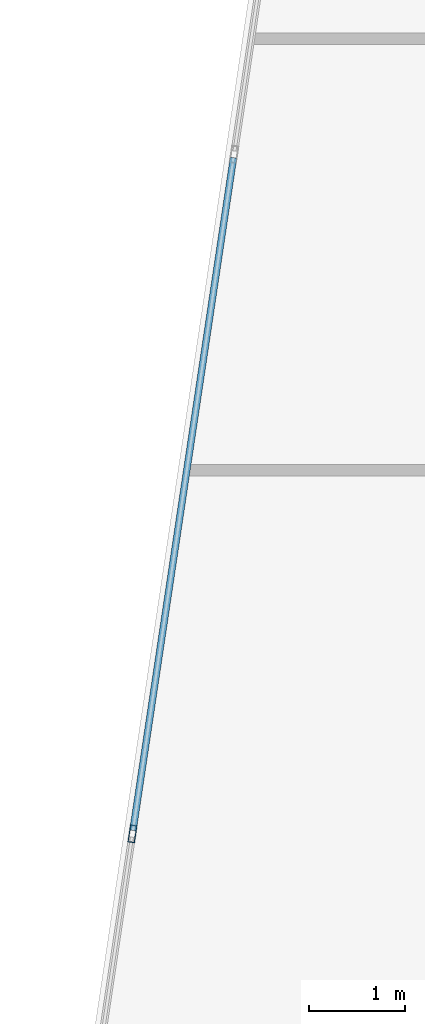
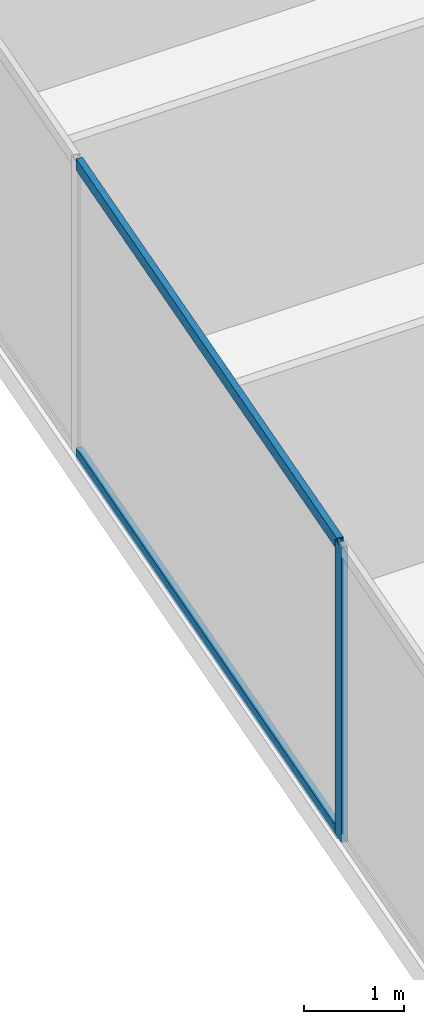
# One storey, part 6 of 29: 3 members, 1 element without a shape of its own.
"""IFC4 building model written with IfcOpenShell, lengths in metres."""

from ifc_helpers import new_model, si_unit, direction, frame, origin, origin_2d, place, context, subcontext, project, spatial, hollow_rectangle, extrude, source, transform, mapped, material, material_profile, profile_set, type_object, type_shapes, element, aggregate, save


model = new_model("IFC4")

# Units and contexts
model_context = context("Model", 3, precision=1e-05, world=origin(), true_north=direction((0.0, 1.0)))
body_context = subcontext(model_context, "Body", "Model", "MODEL_VIEW")
ifc_project = project(units=[si_unit("LENGTHUNIT", "METRE"), si_unit("AREAUNIT", "SQUARE_METRE"), si_unit("VOLUMEUNIT", "CUBIC_METRE"), si_unit("PLANEANGLEUNIT", "RADIAN"), si_unit("MASSUNIT", "GRAM", prefix="KILO")], contexts=[model_context])

# Site, building, storey
site_placement = place(None, origin())
site = spatial("IfcSite", under=ifc_project, at=site_placement, CompositionType="ELEMENT")
building_placement = place(site_placement, origin())
building = spatial("IfcBuilding", under=site, at=building_placement, Name="Krantzveldt Concourse Tower", CompositionType="ELEMENT")
storey_placement = place(building_placement, frame((0.0, 0.0, 76.35009765625)))
storey = spatial("IfcBuildingStorey", under=building, at=storey_placement, Name="L18", CompositionType="ELEMENT", Elevation=76.35009765625)

# Curtain wall, members
ifc_material = material(Name="Anodised aluminium 6063-T6", Category="aluminium")
curtain_wall_type = type_object("IfcCurtainWallType", Name="CW2", PredefinedType="USERDEFINED", material=ifc_material)
curtain_wall_placement = place(storey_placement, origin())
curtain_wall = element("IfcCurtainWall", 1, at=curtain_wall_placement, inside=storey, type_object=curtain_wall_type, Name="CW-L18-F01", ObjectType="UNITISED CURTAIN WALL", PredefinedType="USERDEFINED")
ifc_material_profile_1 = material_profile(ifc_material, hollow_rectangle(XDim=0.070068359375, YDim=0.139892578125, WallThickness=0.0048828125, at=origin_2d()), Name="Anodised aluminium 6063-T6", Category="aluminium")
ifc_profile_set_1 = profile_set([ifc_material_profile_1], Name="Anodised aluminium 6063-T6 - ALU-TRAN 140x70x5")
member_type_1 = type_object("IfcMemberType", Name="CW-TRN-150", PredefinedType="USERDEFINED", material=ifc_profile_set_1)
shared_shape_1 = source(origin(), body_context, "Body", "SweptSolid", [
    extrude(hollow_rectangle(XDim=0.070068359375, YDim=0.139892578125, WallThickness=0.0048828125, at=origin_2d()), origin(), (0.0, 0.0, 1.0), 7.096435546875),
])
type_shapes(member_type_1, [shared_shape_1])
member_1_placement = place(storey_placement, frame((10.299072265625, 23.25927734375, 0.034912109375), z_axis=(-0.147795365468, -0.989017962398, 0.0), x_axis=(0.989017962398, -0.147795365468, 0.0)))
member_1 = element("IfcMember", 2, at=member_1_placement, type_object=member_type_1, Name="CW-Z12 transom 5.1", ObjectType="TRANSOM", PredefinedType="USERDEFINED", context=body_context, shape_type="MappedRepresentation", body=[
    mapped(shared_shape_1, transform((0.0, 0.0, 0.0), x_axis=(1.0, 0.0, 0.0), y_axis=(0.0, 1.0, 0.0), z_axis=(0.0, 0.0, 1.0), scale=1.0)),
])
member_2_placement = place(storey_placement, frame((10.299072265625, 23.25927734375, 3.554931640625), z_axis=(-0.147795365468, -0.989017962398, 0.0), x_axis=(0.989017962398, -0.147795365468, 0.0)))
member_2 = element("IfcMember", 3, at=member_2_placement, type_object=member_type_1, Name="CW-Z12 transom 5.2", ObjectType="TRANSOM", PredefinedType="USERDEFINED", context=body_context, shape_type="MappedRepresentation", body=[
    mapped(shared_shape_1, transform((0.0, 0.0, 0.0), x_axis=(1.0, 0.0, 0.0), y_axis=(0.0, 1.0, 0.0), z_axis=(0.0, 0.0, 1.0), scale=1.0)),
])
ifc_material_profile_2 = material_profile(ifc_material, hollow_rectangle(XDim=0.070068359375, YDim=0.179931640625, WallThickness=0.0048828125, at=origin_2d()), Name="Anodised aluminium 6063-T6", Category="aluminium")
ifc_profile_set_2 = profile_set([ifc_material_profile_2], Name="Anodised aluminium 6063-T6 - ALU-MULL 180x70x5")
member_type_2 = type_object("IfcMemberType", Name="CW-MUL-180", PredefinedType="MULLION", material=ifc_profile_set_2)
shared_shape_2 = source(origin(), body_context, "Body", "SweptSolid", [
    extrude(hollow_rectangle(XDim=0.070068359375, YDim=0.179931640625, WallThickness=0.0048828125, at=origin_2d()), origin(), (0.0, 0.0, 1.0), 3.58984375),
])
type_shapes(member_type_2, [shared_shape_2])
member_3_placement = place(storey_placement, frame((9.2451171875, 16.2060546875, 0.0), z_axis=(0.0, 0.0, 1.0), x_axis=(0.989015849271, -0.147809505412, 0.0)))
member_3 = element("IfcMember", 4, at=member_3_placement, type_object=member_type_2, Name="CW-Z12 mullion 6", PredefinedType="MULLION", context=body_context, shape_type="MappedRepresentation", body=[
    mapped(shared_shape_2, transform((0.0, 0.0, 0.0), x_axis=(1.0, 0.0, 0.0), y_axis=(0.0, 1.0, 0.0), z_axis=(0.0, 0.0, 1.0), scale=1.0)),
])
aggregate(curtain_wall, [member_3, member_1, member_2])

save(model, "model.ifc")
